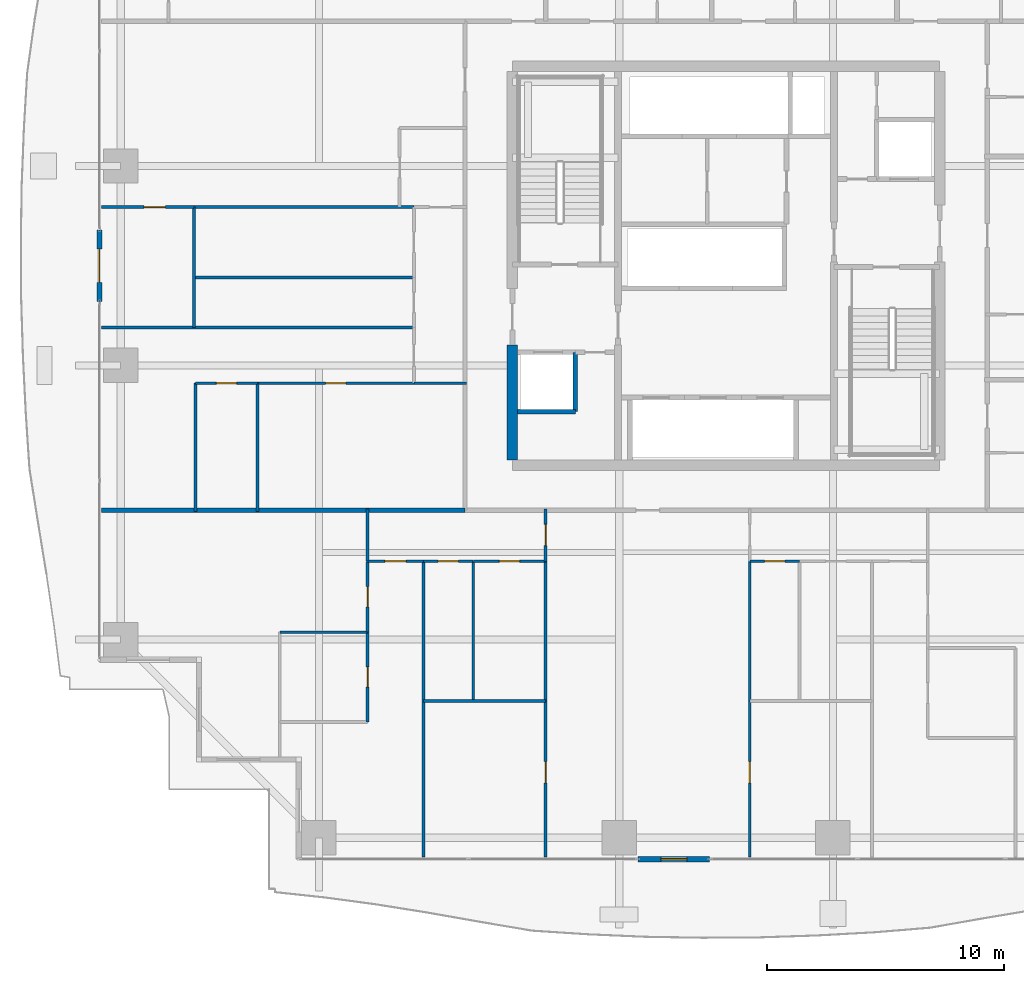
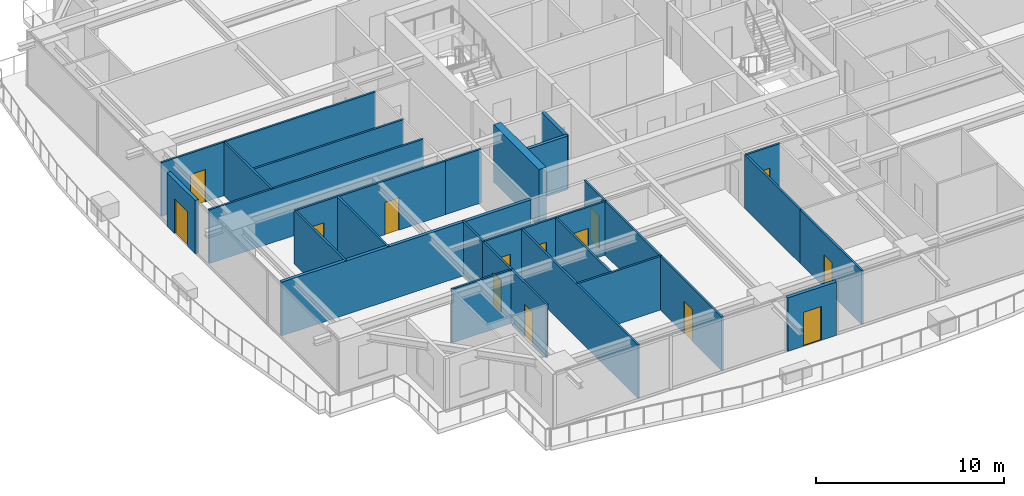
# One storey, part 27 of 40: 32 walls, 14 doors, 14 openings.
"""IFC4 building model written with IfcOpenShell, lengths in metres."""

from ifc_helpers import new_model, si_unit, direction, frame, frame_2d, origin, place, context, subcontext, project, spatial, rectangle, extrude, source, transform, mapped, material, layer, layer_set, type_object, element, fill, save


model = new_model("IFC4")

# Units and contexts
model_context = context("Model", 3, precision=1e-05, world=origin(), true_north=direction((0.0, 1.0)))
body_context = subcontext(model_context, "Body", "Model", "MODEL_VIEW")
ifc_project = project(units=[si_unit("LENGTHUNIT", "METRE"), si_unit("AREAUNIT", "SQUARE_METRE"), si_unit("VOLUMEUNIT", "CUBIC_METRE"), si_unit("PLANEANGLEUNIT", "RADIAN"), si_unit("MASSUNIT", "GRAM", prefix="KILO")], contexts=[model_context])

# Site, building, storey
site_placement = place(None, origin())
site = spatial("IfcSite", under=ifc_project, at=site_placement, CompositionType="ELEMENT")
building_placement = place(site_placement, origin())
building = spatial("IfcBuilding", under=site, at=building_placement, Name="Serunith Strait Residences", CompositionType="ELEMENT")
storey_placement = place(building_placement, frame((0.0, 0.0, 90.449951171875)))
storey = spatial("IfcBuildingStorey", under=building, at=storey_placement, Name="L22", CompositionType="ELEMENT", Elevation=90.449951171875)

# Wall, opening, door
ifc_material_1 = material(Name="Pale-Champagne Aluminium Insulated Panel", Category="aluminium")
ifc_layer_1 = layer(ifc_material_1, 0.219970703125, Name="Pale-Champagne Aluminium Insulated Panel")
ifc_layer_set_1 = layer_set([ifc_layer_1], Name="Pale-Champagne Aluminium Insulated Panel")
wall_type_1 = type_object("IfcWallType", Name="EW-ALUM-220", PredefinedType="ELEMENTEDWALL", material=ifc_layer_set_1)
wall_1_placement = place(storey_placement, frame((28.699951171875, 0.199951171875, 0.0), z_axis=(0.0, 0.0, 1.0), x_axis=(1.0, 0.0, 0.0)))
wall_1 = element("IfcWall", 1, at=wall_1_placement, inside=storey, type_object=wall_type_1, Name="L22 S Facade Pier Wall", PredefinedType="ELEMENTEDWALL", context=body_context, shape_type="SweptSolid", body=[
    extrude(rectangle(XDim=3.0, YDim=0.219970703125, at=frame_2d((1.5, 0.0))), origin(), (0.0, 0.0, 1.0), 3.47509765625),
])
opening_1_placement = place(wall_1_placement, frame((0.949951171875, 0.0, 0.0)))
opening_1 = element("IfcOpeningElement", 2, at=opening_1_placement, cuts=wall_1, Name="Opening ED-03", PredefinedType="OPENING", context=body_context, shape_type="SweptSolid", body=[
    extrude(rectangle(XDim=1.10009765625, YDim=2.199951171875, at=frame_2d((0.550048828125, 1.10009765625))), frame((0.0, 0.1201171875, 0.0), z_axis=(0.0, -1.0, 0.0), x_axis=(1.0, 0.0, 0.0)), (0.0, 0.0, 1.0), 0.239990234375),
])
ifc_material_2 = material(Name="Thermally-Broken Aluminium Glazed Balcony Door", Category="aluminium")
door_type_1 = type_object("IfcDoorType", Name="ED-BALC-1100", OperationType="NOTDEFINED", PredefinedType="DOOR", material=ifc_material_2)
shared_shape_1 = source(origin(), body_context, "Body", "SweptSolid", [
    extrude(rectangle(XDim=1.10009765625, YDim=2.199951171875, at=frame_2d((0.550048828125, 1.10009765625))), frame((0.0, 0.02490234375, 0.0), z_axis=(0.0, -1.0, 0.0), x_axis=(1.0, 0.0, 0.0)), (0.0, 0.0, 1.0), 0.050048828125),
])
door_1_placement = place(opening_1_placement, origin())
door_1 = element("IfcDoor", 3, at=door_1_placement, inside=storey, type_object=door_type_1, Name="L22 S Vertical-Forest Balcony Door", OperationType="SINGLE_SWING_LEFT", OverallHeight=2.199951171875, OverallWidth=1.10009765625, PredefinedType="DOOR", context=body_context, shape_type="MappedRepresentation", body=[
    mapped(shared_shape_1, transform((0.0, 0.0, 0.0), scale=1.0)),
])
fill(opening_1, door_1)

wall_2_placement = place(storey_placement, frame((6.0, 26.699951171875, 0.0), z_axis=(0.0, 0.0, 1.0), x_axis=(0.0, -1.0, 0.0)))
wall_2 = element("IfcWall", 4, at=wall_2_placement, inside=storey, type_object=wall_type_1, Name="L22 W Facade Pier Wall", PredefinedType="ELEMENTEDWALL", context=body_context, shape_type="SweptSolid", body=[
    extrude(rectangle(XDim=3.0, YDim=0.219970703125, at=frame_2d((1.5, 0.0))), origin(), (0.0, 0.0, 1.0), 3.47509765625),
])
opening_2_placement = place(wall_2_placement, frame((0.800048828125, 0.0, 0.0)))
opening_2 = element("IfcOpeningElement", 5, at=opening_2_placement, cuts=wall_2, Name="Opening ED-04", PredefinedType="OPENING", context=body_context, shape_type="SweptSolid", body=[
    extrude(rectangle(XDim=1.39990234375, YDim=2.25, at=frame_2d((0.699951171875, 1.125))), frame((0.0, 0.1201171875, 0.0), z_axis=(0.0, -1.0, 0.0), x_axis=(1.0, 0.0, 0.0)), (0.0, 0.0, 1.0), 0.239990234375),
])
ifc_material_3 = material(Name="Thermally-Broken Aluminium Sliding Balcony Door", Category="aluminium")
door_type_2 = type_object("IfcDoorType", Name="ED-BALC-1400", OperationType="NOTDEFINED", PredefinedType="DOOR", material=ifc_material_3)
shared_shape_2 = source(origin(), body_context, "Body", "SweptSolid", [
    extrude(rectangle(XDim=1.39990234375, YDim=2.25, at=frame_2d((0.699951171875, 1.125))), frame((0.0, 0.02490234375, 0.0), z_axis=(0.0, -1.0, 0.0), x_axis=(1.0, 0.0, 0.0)), (0.0, 0.0, 1.0), 0.050048828125),
])
door_2_placement = place(opening_2_placement, origin())
door_2 = element("IfcDoor", 6, at=door_2_placement, inside=storey, type_object=door_type_2, Name="L22 W Vertical-Forest Balcony Door", OperationType="SLIDING_TO_LEFT", OverallHeight=2.25, OverallWidth=1.39990234375, PredefinedType="DOOR", context=body_context, shape_type="MappedRepresentation", body=[
    mapped(shared_shape_2, transform((0.0, 0.0, 0.0), scale=1.0)),
])
fill(opening_2, door_2)

ifc_material_4 = material(Name="Lightweight steel-stud gypsum partition", Category="steel")
ifc_layer_2 = layer(ifc_material_4, 0.1201171875, Name="Lightweight steel-stud gypsum partition")
ifc_layer_set_2 = layer_set([ifc_layer_2], Name="Lightweight steel-stud gypsum partition")
wall_type_2 = type_object("IfcWallType", Name="IW-PART-120", PredefinedType="PARTITIONING", material=ifc_layer_set_2)
wall_3_placement = place(storey_placement, frame((24.800048828125, 12.75, 0.0), z_axis=(0.0, 0.0, 1.0), x_axis=(0.0, 1.0, 0.0)))
wall_3 = element("IfcWall", 7, at=wall_3_placement, inside=storey, type_object=wall_type_2, Name="L22 Partition Wall 028", PredefinedType="PARTITIONING", context=body_context, shape_type="SweptSolid", body=[
    extrude(rectangle(XDim=2.2099609375, YDim=0.1201171875, at=frame_2d((1.10498046875, 0.0))), origin(), (0.0, 0.0, 1.0), 3.489990234375),
])
opening_3_placement = place(wall_3_placement, frame((0.655029296875, 0.0, 0.0)))
opening_3 = element("IfcOpeningElement", 8, at=opening_3_placement, cuts=wall_3, Name="Opening D-RM900", PredefinedType="OPENING", context=body_context, shape_type="SweptSolid", body=[
    extrude(rectangle(XDim=0.89990234375, YDim=2.10009765625, at=frame_2d((0.449951171875, 1.050048828125))), frame((0.0, 0.070068359375, 0.0), z_axis=(0.0, -1.0, 0.0), x_axis=(1.0, 0.0, 0.0)), (0.0, 0.0, 1.0), 0.14013671875),
])
ifc_material_5 = material(Name="Engineered timber flush bedroom door", Category="wood")
door_type_3 = type_object("IfcDoorType", Name="ID-ROOM-900", OperationType="NOTDEFINED", PredefinedType="DOOR", material=ifc_material_5)
shared_shape_3 = source(origin(), body_context, "Body", "SweptSolid", [
    extrude(rectangle(XDim=0.89990234375, YDim=2.10009765625, at=frame_2d((0.449951171875, 1.050048828125))), frame((0.0, 0.02490234375, 0.0), z_axis=(0.0, -1.0, 0.0), x_axis=(1.0, 0.0, 0.0)), (0.0, 0.0, 1.0), 0.050048828125),
])
door_3_placement = place(opening_3_placement, origin())
door_3 = element("IfcDoor", 9, at=door_3_placement, inside=storey, type_object=door_type_3, Name="L22 Hall W 2201 Door", OperationType="SINGLE_SWING_RIGHT", OverallHeight=2.10009765625, OverallWidth=0.89990234375, PredefinedType="DOOR", context=body_context, shape_type="MappedRepresentation", body=[
    mapped(shared_shape_3, transform((0.0, 0.0, 0.0), scale=1.0)),
])
fill(opening_3, door_3)

wall_4_placement = place(storey_placement, frame((24.800048828125, 0.294921875, 0.0), z_axis=(0.0, 0.0, 1.0), x_axis=(0.0, 1.0, 0.0)))
wall_4 = element("IfcWall", 10, at=wall_4_placement, inside=storey, type_object=wall_type_2, Name="L22 Partition Wall 029", PredefinedType="PARTITIONING", context=body_context, shape_type="SweptSolid", body=[
    extrude(rectangle(XDim=6.565185546875, YDim=0.1201171875, at=frame_2d((3.28271484375, 0.0))), origin(), (0.0, 0.0, 1.0), 3.489990234375),
])
opening_4_placement = place(wall_4_placement, frame((3.115966796875, 0.0, 0.0)))
opening_4 = element("IfcOpeningElement", 11, at=opening_4_placement, cuts=wall_4, Name="Opening D-RM900", PredefinedType="OPENING", context=body_context, shape_type="SweptSolid", body=[
    extrude(rectangle(XDim=0.89990234375, YDim=2.10009765625, at=frame_2d((0.449951171875, 1.050048828125))), frame((0.0, 0.070068359375, 0.0), z_axis=(0.0, -1.0, 0.0), x_axis=(1.0, 0.0, 0.0)), (0.0, 0.0, 1.0), 0.14013671875),
])
door_4_placement = place(opening_4_placement, origin())
door_4 = element("IfcDoor", 12, at=door_4_placement, inside=storey, type_object=door_type_3, Name="L22 Formal Dining Room 1 2201 Door", OperationType="SINGLE_SWING_LEFT", OverallHeight=2.10009765625, OverallWidth=0.89990234375, PredefinedType="DOOR", context=body_context, shape_type="MappedRepresentation", body=[
    mapped(shared_shape_3, transform((0.0, 0.0, 0.0), scale=1.0)),
])
fill(opening_4, door_4)

# Walls
wall_5_placement = place(storey_placement, frame((24.800048828125, 6.862060546875, 0.0), z_axis=(0.0, 0.0, 1.0), x_axis=(0.0, 1.0, 0.0)))
element("IfcWall", 13, at=wall_5_placement, inside=storey, type_object=wall_type_2, Name="L22 Partition Wall 030", PredefinedType="PARTITIONING", context=body_context, shape_type="SweptSolid", body=[
    extrude(rectangle(XDim=5.885986328125, YDim=0.1201171875, at=frame_2d((2.94287109375, 0.0))), origin(), (0.0, 0.0, 1.0), 3.489990234375),
])
wall_6_placement = place(storey_placement, frame((19.64990234375, 6.860107421875, 0.0), z_axis=(0.0, 0.0, 1.0), x_axis=(1.0, 0.0, 0.0)))
element("IfcWall", 14, at=wall_6_placement, inside=storey, type_object=wall_type_2, Name="L22 Partition Wall 031", PredefinedType="PARTITIONING", context=body_context, shape_type="SweptSolid", body=[
    extrude(rectangle(XDim=5.150146484375, YDim=0.1201171875, at=frame_2d((2.5751953125, 0.0))), origin(), (0.0, 0.0, 1.0), 3.489990234375),
])
wall_7_placement = place(storey_placement, frame((19.64990234375, 0.294921875, 0.0), z_axis=(0.0, 0.0, 1.0), x_axis=(0.0, 1.0, 0.0)))
element("IfcWall", 15, at=wall_7_placement, inside=storey, type_object=wall_type_2, Name="L22 Partition Wall 032", PredefinedType="PARTITIONING", context=body_context, shape_type="SweptSolid", body=[
    extrude(rectangle(XDim=12.455078125, YDim=0.1201171875, at=frame_2d((6.2275390625, 0.0))), origin(), (0.0, 0.0, 1.0), 3.489990234375),
])
wall_8_placement = place(storey_placement, frame((21.75, 6.860107421875, 0.0), z_axis=(0.0, 0.0, 1.0), x_axis=(0.0, 1.0, 0.0)))
element("IfcWall", 16, at=wall_8_placement, inside=storey, type_object=wall_type_2, Name="L22 Partition Wall 033", PredefinedType="PARTITIONING", context=body_context, shape_type="SweptSolid", body=[
    extrude(rectangle(XDim=5.889892578125, YDim=0.1201171875, at=frame_2d((2.94482421875, 0.0))), origin(), (0.0, 0.0, 1.0), 3.489990234375),
])

# Wall, opening, door
wall_9_placement = place(storey_placement, frame((19.64990234375, 12.75, 0.0), z_axis=(0.0, 0.0, 1.0), x_axis=(1.0, 0.0, 0.0)))
wall_9 = element("IfcWall", 17, at=wall_9_placement, inside=storey, type_object=wall_type_2, Name="L22 Partition Wall 034", PredefinedType="PARTITIONING", context=body_context, shape_type="SweptSolid", body=[
    extrude(rectangle(XDim=2.10009765625, YDim=0.1201171875, at=frame_2d((1.050048828125, 0.0))), origin(), (0.0, 0.0, 1.0), 3.489990234375),
])
opening_5_placement = place(wall_9_placement, frame((0.625, 0.0, 0.0)))
opening_5 = element("IfcOpeningElement", 18, at=opening_5_placement, cuts=wall_9, Name="Opening D-BTH850", PredefinedType="OPENING", context=body_context, shape_type="SweptSolid", body=[
    extrude(rectangle(XDim=0.85009765625, YDim=2.10009765625, at=frame_2d((0.425048828125, 1.050048828125))), frame((0.0, 0.070068359375, 0.0), z_axis=(0.0, -1.0, 0.0), x_axis=(1.0, 0.0, 0.0)), (0.0, 0.0, 1.0), 0.14013671875),
])
ifc_material_6 = material(Name="Moisture-resistant timber bathroom door", Category="wood")
door_type_4 = type_object("IfcDoorType", Name="ID-BATH-850", OperationType="NOTDEFINED", PredefinedType="DOOR", material=ifc_material_6)
shared_shape_4 = source(origin(), body_context, "Body", "SweptSolid", [
    extrude(rectangle(XDim=0.85009765625, YDim=2.10009765625, at=frame_2d((0.425048828125, 1.050048828125))), frame((0.0, 0.02490234375, 0.0), z_axis=(0.0, -1.0, 0.0), x_axis=(1.0, 0.0, 0.0)), (0.0, 0.0, 1.0), 0.050048828125),
])
door_5_placement = place(opening_5_placement, origin())
door_5 = element("IfcDoor", 19, at=door_5_placement, inside=storey, type_object=door_type_4, Name="L22 Bathroom 2201 Door", OperationType="SINGLE_SWING_RIGHT", OverallHeight=2.10009765625, OverallWidth=0.85009765625, PredefinedType="DOOR", context=body_context, shape_type="MappedRepresentation", body=[
    mapped(shared_shape_4, transform((0.0, 0.0, 0.0), scale=1.0)),
])
fill(opening_5, door_5)

wall_10_placement = place(storey_placement, frame((21.751953125, 12.75, 0.0), z_axis=(0.0, 0.0, 1.0), x_axis=(1.0, 0.0, 0.0)))
wall_10 = element("IfcWall", 20, at=wall_10_placement, inside=storey, type_object=wall_type_2, Name="L22 Partition Wall 035", PredefinedType="PARTITIONING", context=body_context, shape_type="SweptSolid", body=[
    extrude(rectangle(XDim=3.048095703125, YDim=0.1201171875, at=frame_2d((1.52392578125, 0.0))), origin(), (0.0, 0.0, 1.0), 3.489990234375),
])
opening_6_placement = place(wall_10_placement, frame((1.09912109375, 0.0, 0.0)))
opening_6 = element("IfcOpeningElement", 21, at=opening_6_placement, cuts=wall_10, Name="Opening D-RM850", PredefinedType="OPENING", context=body_context, shape_type="SweptSolid", body=[
    extrude(rectangle(XDim=0.85009765625, YDim=2.10009765625, at=frame_2d((0.425048828125, 1.050048828125))), frame((0.0, 0.070068359375, 0.0), z_axis=(0.0, -1.0, 0.0), x_axis=(1.0, 0.0, 0.0)), (0.0, 0.0, 1.0), 0.14013671875),
])
ifc_material_7 = material(Name="Engineered timber flush study and kitchen door", Category="wood")
door_type_5 = type_object("IfcDoorType", Name="ID-ROOM-850", OperationType="NOTDEFINED", PredefinedType="DOOR", material=ifc_material_7)
door_6_placement = place(opening_6_placement, origin())
door_6 = element("IfcDoor", 22, at=door_6_placement, inside=storey, type_object=door_type_5, Name="L22 Kitchen 2201 Door", OperationType="SINGLE_SWING_LEFT", OverallHeight=2.10009765625, OverallWidth=0.85009765625, PredefinedType="DOOR", context=body_context, shape_type="MappedRepresentation", body=[
    mapped(shared_shape_4, transform((0.0, 0.0, 0.0), scale=1.0)),
])
fill(opening_6, door_6)

wall_11_placement = place(storey_placement, frame((17.300048828125, 12.75, 0.0), z_axis=(0.0, 0.0, 1.0), x_axis=(1.0, 0.0, 0.0)))
wall_11 = element("IfcWall", 23, at=wall_11_placement, inside=storey, type_object=wall_type_2, Name="L22 Partition Wall 036", PredefinedType="PARTITIONING", context=body_context, shape_type="SweptSolid", body=[
    extrude(rectangle(XDim=2.347900390625, YDim=0.1201171875, at=frame_2d((1.173828125, 0.0))), origin(), (0.0, 0.0, 1.0), 3.489990234375),
])
opening_7_placement = place(wall_11_placement, frame((0.72412109375, 0.0, 0.0)))
opening_7 = element("IfcOpeningElement", 24, at=opening_7_placement, cuts=wall_11, Name="Opening D-RM900", PredefinedType="OPENING", context=body_context, shape_type="SweptSolid", body=[
    extrude(rectangle(XDim=0.89990234375, YDim=2.10009765625, at=frame_2d((0.449951171875, 1.050048828125))), frame((0.0, 0.070068359375, 0.0), z_axis=(0.0, -1.0, 0.0), x_axis=(1.0, 0.0, 0.0)), (0.0, 0.0, 1.0), 0.14013671875),
])
door_7_placement = place(opening_7_placement, origin())
door_7 = element("IfcDoor", 25, at=door_7_placement, inside=storey, type_object=door_type_3, Name="L22 Master Bedroom W 2201 Door", OperationType="SINGLE_SWING_RIGHT", OverallHeight=2.10009765625, OverallWidth=0.89990234375, PredefinedType="DOOR", context=body_context, shape_type="MappedRepresentation", body=[
    mapped(shared_shape_3, transform((0.0, 0.0, 0.0), scale=1.0)),
])
fill(opening_7, door_7)

# Wall
wall_12_placement = place(storey_placement, frame((13.60009765625, 9.761962890625, 0.0), z_axis=(0.0, 0.0, 1.0), x_axis=(1.0, 0.0, 0.0)))
element("IfcWall", 26, at=wall_12_placement, inside=storey, type_object=wall_type_2, Name="L22 Partition Wall 039", PredefinedType="PARTITIONING", context=body_context, shape_type="SweptSolid", body=[
    extrude(rectangle(XDim=3.699951171875, YDim=0.1201171875, at=frame_2d((1.85009765625, 0.0))), origin(), (0.0, 0.0, 1.0), 3.489990234375),
])

# Wall, opening, door
wall_13_placement = place(storey_placement, frame((17.300048828125, 5.97802734375, 0.0), z_axis=(0.0, 0.0, 1.0), x_axis=(0.0, 1.0, 0.0)))
wall_13 = element("IfcWall", 27, at=wall_13_placement, inside=storey, type_object=wall_type_2, Name="L22 Partition Wall 040", PredefinedType="PARTITIONING", context=body_context, shape_type="SweptSolid", body=[
    extrude(rectangle(XDim=3.783935546875, YDim=0.1201171875, at=frame_2d((1.89208984375, 0.0))), origin(), (0.0, 0.0, 1.0), 3.489990234375),
])
opening_8_placement = place(wall_13_placement, frame((1.467041015625, 0.0, 0.0)))
opening_8 = element("IfcOpeningElement", 28, at=opening_8_placement, cuts=wall_13, Name="Opening D-BTH850", PredefinedType="OPENING", context=body_context, shape_type="SweptSolid", body=[
    extrude(rectangle(XDim=0.85009765625, YDim=2.10009765625, at=frame_2d((0.425048828125, 1.050048828125))), frame((0.0, 0.070068359375, 0.0), z_axis=(0.0, -1.0, 0.0), x_axis=(1.0, 0.0, 0.0)), (0.0, 0.0, 1.0), 0.14013671875),
])
door_8_placement = place(opening_8_placement, origin())
door_8 = element("IfcDoor", 29, at=door_8_placement, inside=storey, type_object=door_type_4, Name="L22 En-suite Bathroom W 2201 Door", OperationType="SINGLE_SWING_LEFT", OverallHeight=2.10009765625, OverallWidth=0.85009765625, PredefinedType="DOOR", context=body_context, shape_type="MappedRepresentation", body=[
    mapped(shared_shape_4, transform((0.0, 0.0, 0.0), scale=1.0)),
])
fill(opening_8, door_8)

wall_14_placement = place(storey_placement, frame((17.300048828125, 9.763916015625, 0.0), z_axis=(0.0, 0.0, 1.0), x_axis=(0.0, 1.0, 0.0)))
wall_14 = element("IfcWall", 30, at=wall_14_placement, inside=storey, type_object=wall_type_2, Name="L22 Partition Wall 041", PredefinedType="PARTITIONING", context=body_context, shape_type="SweptSolid", body=[
    extrude(rectangle(XDim=2.986083984375, YDim=0.1201171875, at=frame_2d((1.4931640625, 0.0))), origin(), (0.0, 0.0, 1.0), 3.489990234375),
])
opening_9_placement = place(wall_14_placement, frame((1.068115234375, 0.0, 0.0)))
opening_9 = element("IfcOpeningElement", 31, at=opening_9_placement, cuts=wall_14, Name="Opening D-RM850", PredefinedType="OPENING", context=body_context, shape_type="SweptSolid", body=[
    extrude(rectangle(XDim=0.85009765625, YDim=2.10009765625, at=frame_2d((0.425048828125, 1.050048828125))), frame((0.0, 0.070068359375, 0.0), z_axis=(0.0, -1.0, 0.0), x_axis=(1.0, 0.0, 0.0)), (0.0, 0.0, 1.0), 0.14013671875),
])
door_9_placement = place(opening_9_placement, origin())
door_9 = element("IfcDoor", 32, at=door_9_placement, inside=storey, type_object=door_type_5, Name="L22 Wardrobe W 2201 Door", OperationType="SINGLE_SWING_RIGHT", OverallHeight=2.10009765625, OverallWidth=0.85009765625, PredefinedType="DOOR", context=body_context, shape_type="MappedRepresentation", body=[
    mapped(shared_shape_4, transform((0.0, 0.0, 0.0), scale=1.0)),
])
fill(opening_9, door_9)

# Wall
wall_15_placement = place(storey_placement, frame((17.300048828125, 12.751953125, 0.0), z_axis=(0.0, 0.0, 1.0), x_axis=(0.0, 1.0, 0.0)))
element("IfcWall", 33, at=wall_15_placement, inside=storey, type_object=wall_type_2, Name="L22 Partition Wall 042", PredefinedType="PARTITIONING", context=body_context, shape_type="SweptSolid", body=[
    extrude(rectangle(XDim=2.2080078125, YDim=0.1201171875, at=frame_2d((1.10400390625, 0.0))), origin(), (0.0, 0.0, 1.0), 3.489990234375),
])

# Wall, opening, door
wall_16_placement = place(storey_placement, frame((33.39990234375, 0.294921875, 0.0), z_axis=(0.0, 0.0, 1.0), x_axis=(0.0, 1.0, 0.0)))
wall_16 = element("IfcWall", 34, at=wall_16_placement, inside=storey, type_object=wall_type_2, Name="L22 Partition Wall 044", PredefinedType="PARTITIONING", context=body_context, shape_type="SweptSolid", body=[
    extrude(rectangle(XDim=6.565185546875, YDim=0.1201171875, at=frame_2d((3.28271484375, 0.0))), origin(), (0.0, 0.0, 1.0), 3.489990234375),
])
opening_10_placement = place(wall_16_placement, frame((3.115966796875, 0.0, 0.0)))
opening_10 = element("IfcOpeningElement", 35, at=opening_10_placement, cuts=wall_16, Name="Opening D-RM900", PredefinedType="OPENING", context=body_context, shape_type="SweptSolid", body=[
    extrude(rectangle(XDim=0.89990234375, YDim=2.10009765625, at=frame_2d((0.449951171875, 1.050048828125))), frame((0.0, 0.070068359375, 0.0), z_axis=(0.0, -1.0, 0.0), x_axis=(1.0, 0.0, 0.0)), (0.0, 0.0, 1.0), 0.14013671875),
])
door_10_placement = place(opening_10_placement, origin())
door_10 = element("IfcDoor", 36, at=door_10_placement, inside=storey, type_object=door_type_3, Name="L22 Formal Dining Room 3 2201 Door", OperationType="SINGLE_SWING_RIGHT", OverallHeight=2.10009765625, OverallWidth=0.89990234375, PredefinedType="DOOR", context=body_context, shape_type="MappedRepresentation", body=[
    mapped(shared_shape_3, transform((0.0, 0.0, 0.0), scale=1.0)),
])
fill(opening_10, door_10)

# Wall
wall_17_placement = place(storey_placement, frame((33.39990234375, 6.862060546875, 0.0), z_axis=(0.0, 0.0, 1.0), x_axis=(0.0, 1.0, 0.0)))
element("IfcWall", 37, at=wall_17_placement, inside=storey, type_object=wall_type_2, Name="L22 Partition Wall 045", PredefinedType="PARTITIONING", context=body_context, shape_type="SweptSolid", body=[
    extrude(rectangle(XDim=5.885986328125, YDim=0.1201171875, at=frame_2d((2.94287109375, 0.0))), origin(), (0.0, 0.0, 1.0), 3.489990234375),
])

# Wall, opening, door
wall_18_placement = place(storey_placement, frame((33.39990234375, 12.75, 0.0), z_axis=(0.0, 0.0, 1.0), x_axis=(1.0, 0.0, 0.0)))
wall_18 = element("IfcWall", 38, at=wall_18_placement, inside=storey, type_object=wall_type_2, Name="L22 Partition Wall 049", PredefinedType="PARTITIONING", context=body_context, shape_type="SweptSolid", body=[
    extrude(rectangle(XDim=2.10009765625, YDim=0.1201171875, at=frame_2d((1.050048828125, 0.0))), origin(), (0.0, 0.0, 1.0), 3.489990234375),
])
opening_11_placement = place(wall_18_placement, frame((0.625, 0.0, 0.0)))
opening_11 = element("IfcOpeningElement", 39, at=opening_11_placement, cuts=wall_18, Name="Opening D-RM850", PredefinedType="OPENING", context=body_context, shape_type="SweptSolid", body=[
    extrude(rectangle(XDim=0.85009765625, YDim=2.10009765625, at=frame_2d((0.425048828125, 1.050048828125))), frame((0.0, 0.070068359375, 0.0), z_axis=(0.0, -1.0, 0.0), x_axis=(1.0, 0.0, 0.0)), (0.0, 0.0, 1.0), 0.14013671875),
])
door_11_placement = place(opening_11_placement, origin())
door_11 = element("IfcDoor", 40, at=door_11_placement, inside=storey, type_object=door_type_5, Name="L22 Study 2201 Door", OperationType="SINGLE_SWING_LEFT", OverallHeight=2.10009765625, OverallWidth=0.85009765625, PredefinedType="DOOR", context=body_context, shape_type="MappedRepresentation", body=[
    mapped(shared_shape_4, transform((0.0, 0.0, 0.0), scale=1.0)),
])
fill(opening_11, door_11)

wall_19_placement = place(storey_placement, frame((6.094970703125, 27.669921875, 0.0), z_axis=(0.0, 0.0, 1.0), x_axis=(1.0, 0.0, 0.0)))
wall_19 = element("IfcWall", 41, at=wall_19_placement, inside=storey, type_object=wall_type_2, Name="L22 Partition Wall 088", PredefinedType="PARTITIONING", context=body_context, shape_type="SweptSolid", body=[
    extrude(rectangle(XDim=3.884033203125, YDim=0.1201171875, at=frame_2d((1.94189453125, 0.0))), origin(), (0.0, 0.0, 1.0), 3.489990234375),
])
opening_12_placement = place(wall_19_placement, frame((1.781005859375, 0.0, 0.0)))
opening_12 = element("IfcOpeningElement", 42, at=opening_12_placement, cuts=wall_19, Name="Opening D-RM900", PredefinedType="OPENING", context=body_context, shape_type="SweptSolid", body=[
    extrude(rectangle(XDim=0.89990234375, YDim=2.10009765625, at=frame_2d((0.449951171875, 1.050048828125))), frame((0.0, 0.070068359375, 0.0), z_axis=(0.0, -1.0, 0.0), x_axis=(1.0, 0.0, 0.0)), (0.0, 0.0, 1.0), 0.14013671875),
])
door_12_placement = place(opening_12_placement, origin())
door_12 = element("IfcDoor", 43, at=door_12_placement, inside=storey, type_object=door_type_3, Name="L22 Study 1 2206 Door", OperationType="SINGLE_SWING_RIGHT", OverallHeight=2.10009765625, OverallWidth=0.89990234375, PredefinedType="DOOR", context=body_context, shape_type="MappedRepresentation", body=[
    mapped(shared_shape_3, transform((0.0, 0.0, 0.0), scale=1.0)),
])
fill(opening_12, door_12)

# Walls
wall_20_placement = place(storey_placement, frame((9.98095703125, 27.669921875, 0.0), z_axis=(0.0, 0.0, 1.0), x_axis=(1.0, 0.0, 0.0)))
element("IfcWall", 44, at=wall_20_placement, inside=storey, type_object=wall_type_2, Name="L22 Partition Wall 089", PredefinedType="PARTITIONING", context=body_context, shape_type="SweptSolid", body=[
    extrude(rectangle(XDim=9.26708984375, YDim=0.1201171875, at=frame_2d((4.633544921875, 0.0))), origin(), (0.0, 0.0, 1.0), 3.489990234375),
])
wall_21_placement = place(storey_placement, frame((9.97900390625, 22.60009765625, 0.0), z_axis=(0.0, 0.0, 1.0), x_axis=(0.0, 1.0, 0.0)))
element("IfcWall", 45, at=wall_21_placement, inside=storey, type_object=wall_type_2, Name="L22 Partition Wall 090", PredefinedType="PARTITIONING", context=body_context, shape_type="SweptSolid", body=[
    extrude(rectangle(XDim=5.06982421875, YDim=0.1201171875, at=frame_2d((2.534912109375, 0.0))), origin(), (0.0, 0.0, 1.0), 3.489990234375),
])
wall_22_placement = place(storey_placement, frame((6.094970703125, 22.60009765625, 0.0), z_axis=(0.0, 0.0, 1.0), x_axis=(1.0, 0.0, 0.0)))
element("IfcWall", 46, at=wall_22_placement, inside=storey, type_object=wall_type_2, Name="L22 Partition Wall 091", PredefinedType="PARTITIONING", context=body_context, shape_type="SweptSolid", body=[
    extrude(rectangle(XDim=13.155029296875, YDim=0.1201171875, at=frame_2d((6.57763671875, 0.0))), origin(), (0.0, 0.0, 1.0), 3.489990234375),
])
wall_23_placement = place(storey_placement, frame((9.97900390625, 24.699951171875, 0.0), z_axis=(0.0, 0.0, 1.0), x_axis=(1.0, 0.0, 0.0)))
element("IfcWall", 47, at=wall_23_placement, inside=storey, type_object=wall_type_2, Name="L22 Partition Wall 092", PredefinedType="PARTITIONING", context=body_context, shape_type="SweptSolid", body=[
    extrude(rectangle(XDim=9.27099609375, YDim=0.1201171875, at=frame_2d((4.635498046875, 0.0))), origin(), (0.0, 0.0, 1.0), 3.489990234375),
])
for number, where, z_axis, x_axis, name in (
    (48, (10.050048828125, 14.840087890625, 0.0), (0.0, 0.0, 1.0), (0.0, 1.0, 0.0), "L22 Partition Wall 096"),
    (49, (12.6669921875, 14.840087890625, 0.0), (0.0, 0.0, 1.0), (0.0, 1.0, 0.0), "L22 Partition Wall 097"),
):
    element("IfcWall", number, at=place(storey_placement, frame(where, z_axis=z_axis, x_axis=x_axis)), inside=storey, type_object=wall_type_2, Name=name, PredefinedType="PARTITIONING", context=body_context, shape_type="SweptSolid", body=[
        extrude(rectangle(XDim=5.409912109375, YDim=0.1201171875, at=frame_2d((2.705078125, 0.0))), origin(), (0.0, 0.0, 1.0), 3.489990234375),
    ])

# Wall, opening, door
wall_24_placement = place(storey_placement, frame((10.050048828125, 20.25, 0.0), z_axis=(0.0, 0.0, 1.0), x_axis=(1.0, 0.0, 0.0)))
wall_24 = element("IfcWall", 50, at=wall_24_placement, inside=storey, type_object=wall_type_2, Name="L22 Partition Wall 098", PredefinedType="PARTITIONING", context=body_context, shape_type="SweptSolid", body=[
    extrude(rectangle(XDim=2.616943359375, YDim=0.1201171875, at=frame_2d((1.30859375, 0.0))), origin(), (0.0, 0.0, 1.0), 3.489990234375),
])
opening_13_placement = place(wall_24_placement, frame((0.883056640625, 0.0, 0.0)))
opening_13 = element("IfcOpeningElement", 51, at=opening_13_placement, cuts=wall_24, Name="Opening D-BTH850", PredefinedType="OPENING", context=body_context, shape_type="SweptSolid", body=[
    extrude(rectangle(XDim=0.85009765625, YDim=2.10009765625, at=frame_2d((0.425048828125, 1.050048828125))), frame((0.0, 0.070068359375, 0.0), z_axis=(0.0, -1.0, 0.0), x_axis=(1.0, 0.0, 0.0)), (0.0, 0.0, 1.0), 0.14013671875),
])
door_13_placement = place(opening_13_placement, origin())
door_13 = element("IfcDoor", 52, at=door_13_placement, inside=storey, type_object=door_type_4, Name="L22 En-suite Bathroom W 2206 Door", OperationType="SINGLE_SWING_RIGHT", OverallHeight=2.10009765625, OverallWidth=0.85009765625, PredefinedType="DOOR", context=body_context, shape_type="MappedRepresentation", body=[
    mapped(shared_shape_4, transform((0.0, 0.0, 0.0), scale=1.0)),
])
fill(opening_13, door_13)

wall_25_placement = place(storey_placement, frame((12.6689453125, 20.25, 0.0), z_axis=(0.0, 0.0, 1.0), x_axis=(1.0, 0.0, 0.0)))
wall_25 = element("IfcWall", 53, at=wall_25_placement, inside=storey, type_object=wall_type_2, Name="L22 Partition Wall 099", PredefinedType="PARTITIONING", context=body_context, shape_type="SweptSolid", body=[
    extrude(rectangle(XDim=6.5810546875, YDim=0.1201171875, at=frame_2d((3.29052734375, 0.0))), origin(), (0.0, 0.0, 1.0), 3.489990234375),
])
opening_14_placement = place(wall_25_placement, frame((2.864990234375, 0.0, 0.0)))
opening_14 = element("IfcOpeningElement", 54, at=opening_14_placement, cuts=wall_25, Name="Opening D-RM850", PredefinedType="OPENING", context=body_context, shape_type="SweptSolid", body=[
    extrude(rectangle(XDim=0.85009765625, YDim=2.10009765625, at=frame_2d((0.425048828125, 1.050048828125))), frame((0.0, 0.070068359375, 0.0), z_axis=(0.0, -1.0, 0.0), x_axis=(1.0, 0.0, 0.0)), (0.0, 0.0, 1.0), 0.14013671875),
])
door_14_placement = place(opening_14_placement, origin())
door_14 = element("IfcDoor", 55, at=door_14_placement, inside=storey, type_object=door_type_5, Name="L22 Wardrobe W 2206 Door", OperationType="SINGLE_SWING_LEFT", OverallHeight=2.10009765625, OverallWidth=0.85009765625, PredefinedType="DOOR", context=body_context, shape_type="MappedRepresentation", body=[
    mapped(shared_shape_4, transform((0.0, 0.0, 0.0), scale=1.0)),
])
fill(opening_14, door_14)

# Walls
wall_26_placement = place(storey_placement, frame((19.251953125, 20.25, 0.0), z_axis=(0.0, 0.0, 1.0), x_axis=(1.0, 0.0, 0.0)))
element("IfcWall", 56, at=wall_26_placement, inside=storey, type_object=wall_type_2, Name="L22 Partition Wall 100", PredefinedType="PARTITIONING", context=body_context, shape_type="SweptSolid", body=[
    extrude(rectangle(XDim=2.2080078125, YDim=0.1201171875, at=frame_2d((1.10400390625, 0.0))), origin(), (0.0, 0.0, 1.0), 3.489990234375),
])
ifc_material_8 = material(Name="Twin-stud acoustic gypsum board partition")
ifc_layer_3 = layer(ifc_material_8, 0.199951171875, Name="Twin-stud acoustic gypsum board partition")
ifc_layer_set_3 = layer_set([ifc_layer_3], Name="Twin-stud acoustic gypsum board partition")
wall_type_3 = type_object("IfcWallType", Name="IW-PARTY-200", PredefinedType="PARTITIONING", material=ifc_layer_set_3)
wall_27_placement = place(storey_placement, frame((6.08203125, 14.89990234375, 0.0), z_axis=(0.0, 0.0, 1.0), x_axis=(1.0, 0.0, 0.0)))
element("IfcWall", 57, at=wall_27_placement, inside=storey, type_object=wall_type_3, Name="L22 Partition Wall 020", PredefinedType="PARTITIONING", context=body_context, shape_type="SweptSolid", body=[
    extrude(rectangle(XDim=15.31787109375, YDim=0.199951171875, at=frame_2d((7.658935546875, 0.0))), origin(), (0.0, 0.0, 1.0), 3.489990234375),
])
ifc_material_9 = material(Name="Autoclaved aerated concrete blockwork", Category="masonry")
ifc_layer_4 = layer(ifc_material_9, 0.199951171875, Name="Autoclaved aerated concrete blockwork")
ifc_layer_set_4 = layer_set([ifc_layer_4], Name="Autoclaved aerated concrete blockwork")
wall_type_4 = type_object("IfcWallType", Name="IW-SHAFT-200", PredefinedType="STANDARD", material=ifc_layer_set_4)
wall_28_placement = place(storey_placement, frame((26.050048828125, 19.050048828125, 0.0), z_axis=(0.0, 0.0, 1.0), x_axis=(0.0, 1.0, 0.0)))
element("IfcWall", 58, at=wall_28_placement, inside=storey, type_object=wall_type_4, Name="L22 Partition Wall 001", PredefinedType="STANDARD", context=body_context, shape_type="SweptSolid", body=[
    extrude(rectangle(XDim=2.5, YDim=0.199951171875, at=frame_2d((1.25, 0.0))), origin(), (0.0, 0.0, 1.0), 3.489990234375),
])
wall_29_placement = place(storey_placement, frame((23.625, 19.050048828125, 0.0), z_axis=(0.0, 0.0, 1.0), x_axis=(1.0, 0.0, 0.0)))
element("IfcWall", 59, at=wall_29_placement, inside=storey, type_object=wall_type_4, Name="L22 Partition Wall 002", PredefinedType="STANDARD", context=body_context, shape_type="SweptSolid", body=[
    extrude(rectangle(XDim=2.425048828125, YDim=0.199951171875, at=frame_2d((1.21240234375, 0.0))), origin(), (0.0, 0.0, 1.0), 3.489990234375),
])
ifc_material_10 = material(Name="Concrete C80/95", Category="concrete")
ifc_layer_5 = layer(ifc_material_10, 0.449951171875, Name="Concrete C80/95")
ifc_layer_set_5 = layer_set([ifc_layer_5], Name="Concrete C80/95")
wall_type_5 = type_object("IfcWallType", Name="SW-450-C80", PredefinedType="SHEAR", material=ifc_layer_set_5)
wall_30_placement = place(storey_placement, frame((23.39990234375, 17.02490234375, -0.260009765625), z_axis=(0.0, 0.0, 1.0), x_axis=(0.0, 1.0, 0.0)))
element("IfcWall", 60, at=wall_30_placement, inside=storey, type_object=wall_type_5, Name="L22 Core West Shear Wall South Pier", PredefinedType="SHEAR", context=body_context, shape_type="SweptSolid", body=[
    extrude(rectangle(XDim=4.8251953125, YDim=0.449951171875, at=frame_2d((2.41259765625, 0.0))), origin(), (0.0, 0.0, 1.0), 3.748046875),
])

save(model, "model.ifc")
